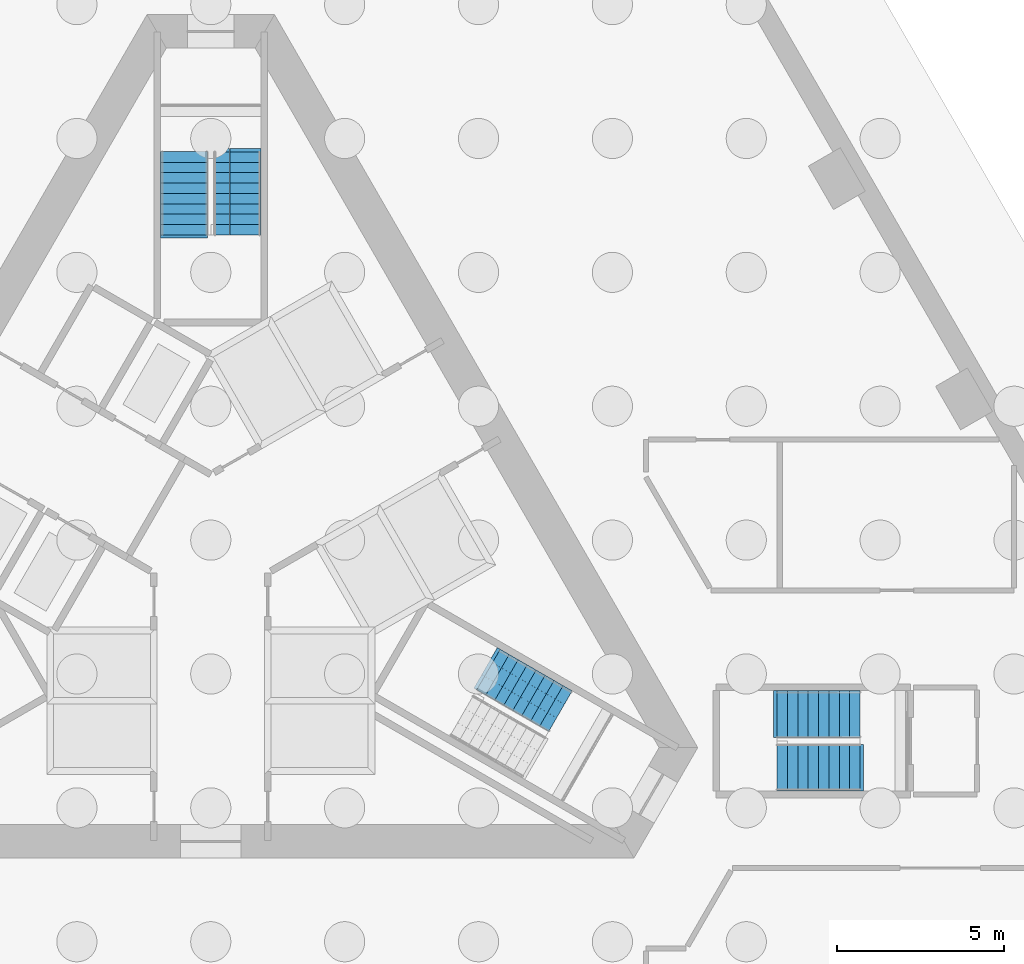
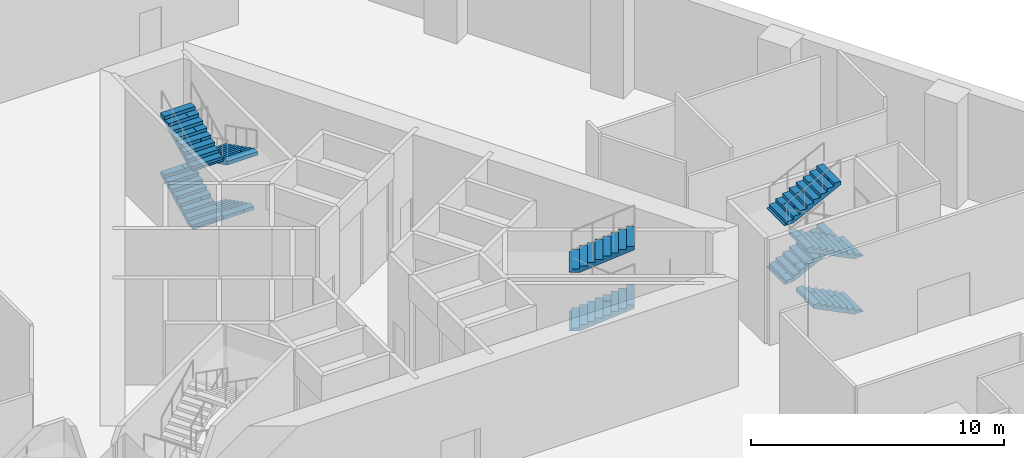
# One storey, part 14 of 20: 10 stair flights, 3 elements without a shape of their own.
"""IFC4 building model written with IfcOpenShell, lengths in metres."""

from ifc_helpers import new_model, si_unit, direction, frame, origin, place, context, subcontext, project, spatial, polyline, outline, extrude, material, type_object, element, aggregate, save


model = new_model("IFC4")

# Units and contexts
model_context = context("Model", 3, precision=1e-05, world=origin(), true_north=direction((0.0, 1.0)))
body_context = subcontext(model_context, "Body", "Model", "MODEL_VIEW")
ifc_project = project(units=[si_unit("LENGTHUNIT", "METRE"), si_unit("AREAUNIT", "SQUARE_METRE"), si_unit("VOLUMEUNIT", "CUBIC_METRE"), si_unit("PLANEANGLEUNIT", "RADIAN"), si_unit("MASSUNIT", "GRAM", prefix="KILO")], contexts=[model_context])

# Site, building, storey
site_placement = place(None, origin())
site = spatial("IfcSite", under=ifc_project, at=site_placement, CompositionType="ELEMENT")
building_placement = place(site_placement, origin())
building = spatial("IfcBuilding", under=site, at=building_placement, Name="Triada Interchange Tower", CompositionType="ELEMENT")
storey_placement = place(building_placement, frame((0.0, 0.0, -5.5)))
storey = spatial("IfcBuildingStorey", under=building, at=storey_placement, Name="B1", CompositionType="ELEMENT", Elevation=-5.5)

# Stair, stair flights
ifc_material = material(Name="Concrete C35/45", Category="concrete")
stair_type = type_object("IfcStairType", Name="HALF TURN STAIR 1400", PredefinedType="HALF_TURN_STAIR", material=ifc_material)
stair_1_placement = place(storey_placement, origin())
stair_1 = element("IfcStair", 1, at=stair_1_placement, inside=storey, type_object=stair_type, Name="Exit stair SB1-1", PredefinedType="HALF_TURN_STAIR")
stair_flight_type = type_object("IfcStairFlightType", Name="STRAIGHT STAIR FLIGHT 1400", PredefinedType="STRAIGHT", material=ifc_material)
stair_flight_1_placement = place(storey_placement, frame((0.800048828125, 11.60009765625, 0.0), z_axis=(0.0, 0.0, 1.0), x_axis=(0.0, -1.0, 0.0)))
stair_flight_1 = element("IfcStairFlight", 2, at=stair_flight_1_placement, type_object=stair_flight_type, Name="SB1-1 flight 1", NumberOfRisers=8, NumberOfTreads=7, PredefinedType="STRAIGHT", RiserHeight=0.15714, TreadLength=0.31, context=body_context, shape_type="SweptSolid", body=[
    extrude(outline(polyline([(-0.10009765625, 0.0), (-0.10009765625, 0.02001953125), (0.0, 0.02001953125), (0.0, 0.1572265625), (0.31005859375, 0.1572265625), (0.31005859375, 0.314208984375), (0.6201171875, 0.314208984375), (0.6201171875, 0.471435546875), (0.929931640625, 0.471435546875), (0.929931640625, 0.628662109375), (1.239990234375, 0.628662109375), (1.239990234375, 0.78564453125), (1.550048828125, 0.78564453125), (1.550048828125, 0.94287109375), (1.860107421875, 0.94287109375), (1.860107421875, 1.10009765625), (2.169921875, 1.10009765625), (2.174072265625, 1.10009765625), (2.174072265625, 1.257080078125), (2.174072265625, 0.931884765625), (0.33154296875, 0.0), (-0.10009765625, 0.0)])), frame((0.0, 0.699951171875, 0.0), z_axis=(0.0, -1.0, 0.0), x_axis=(1.0, 0.0, 0.0)), (0.0, 0.0, 1.0), 0.46533203125),
    extrude(outline(polyline([(-0.10009765625, 0.0), (-0.10009765625, 0.02001953125), (0.0, 0.02001953125), (0.0, 0.1572265625), (0.31005859375, 0.1572265625), (0.31005859375, 0.314208984375), (0.6201171875, 0.314208984375), (0.6201171875, 0.471435546875), (0.929931640625, 0.471435546875), (0.929931640625, 0.628662109375), (1.239990234375, 0.628662109375), (1.239990234375, 0.78564453125), (1.550048828125, 0.78564453125), (1.550048828125, 0.94287109375), (1.860107421875, 0.94287109375), (1.860107421875, 1.10009765625), (2.169921875, 1.10009765625), (2.174072265625, 1.10009765625), (2.174072265625, 1.257080078125), (2.174072265625, 0.931884765625), (0.33154296875, 0.0), (-0.10009765625, 0.0)])), frame((0.0, 0.232666015625, 0.0), z_axis=(0.0, -1.0, 0.0), x_axis=(1.0, 0.0, 0.0)), (0.0, 0.0, 1.0), 0.46533203125),
    extrude(outline(polyline([(-0.10009765625, 0.0), (-0.10009765625, 0.02001953125), (0.0, 0.02001953125), (0.0, 0.1572265625), (0.31005859375, 0.1572265625), (0.31005859375, 0.314208984375), (0.6201171875, 0.314208984375), (0.6201171875, 0.471435546875), (0.929931640625, 0.471435546875), (0.929931640625, 0.628662109375), (1.239990234375, 0.628662109375), (1.239990234375, 0.78564453125), (1.550048828125, 0.78564453125), (1.550048828125, 0.94287109375), (1.860107421875, 0.94287109375), (1.860107421875, 1.10009765625), (2.169921875, 1.10009765625), (2.174072265625, 1.10009765625), (2.174072265625, 1.257080078125), (2.174072265625, 0.931884765625), (0.33154296875, 0.0), (-0.10009765625, 0.0)])), frame((0.0, -0.234619140625, 0.0), z_axis=(0.0, -1.0, 0.0), x_axis=(1.0, 0.0, 0.0)), (0.0, 0.0, 1.0), 0.46533203125),
])
stair_flight_2_placement = place(storey_placement, frame((-0.800048828125, 9.1201171875, 1.257080078125), z_axis=(0.0, 0.0, 1.0), x_axis=(0.0, 1.0, 0.0)))
stair_flight_2 = element("IfcStairFlight", 3, at=stair_flight_2_placement, type_object=stair_flight_type, Name="SB1-1 flight 2", NumberOfRisers=9, NumberOfTreads=8, PredefinedType="STRAIGHT", RiserHeight=0.15714, TreadLength=0.31, context=body_context, shape_type="SweptSolid", body=[
    extrude(outline(polyline([(-0.10009765625, 0.0), (-0.10009765625, 0.02001953125), (0.0, 0.02001953125), (0.0, 0.1572265625), (0.31005859375, 0.1572265625), (0.31005859375, 0.314208984375), (0.6201171875, 0.314208984375), (0.6201171875, 0.471435546875), (0.929931640625, 0.471435546875), (0.929931640625, 0.628662109375), (1.239990234375, 0.628662109375), (1.239990234375, 0.78564453125), (1.550048828125, 0.78564453125), (1.550048828125, 0.94287109375), (1.860107421875, 0.94287109375), (1.860107421875, 1.10009765625), (2.169921875, 1.10009765625), (2.169921875, 1.257080078125), (2.47998046875, 1.257080078125), (2.48388671875, 1.257080078125), (2.48388671875, 1.414306640625), (2.48388671875, 1.089111328125), (0.33154296875, 0.0), (-0.10009765625, 0.0)])), frame((0.0, 0.699951171875, 0.0), z_axis=(0.0, -1.0, 0.0), x_axis=(1.0, 0.0, 0.0)), (0.0, 0.0, 1.0), 0.46533203125),
    extrude(outline(polyline([(-0.10009765625, 0.0), (-0.10009765625, 0.02001953125), (0.0, 0.02001953125), (0.0, 0.1572265625), (0.31005859375, 0.1572265625), (0.31005859375, 0.314208984375), (0.6201171875, 0.314208984375), (0.6201171875, 0.471435546875), (0.929931640625, 0.471435546875), (0.929931640625, 0.628662109375), (1.239990234375, 0.628662109375), (1.239990234375, 0.78564453125), (1.550048828125, 0.78564453125), (1.550048828125, 0.94287109375), (1.860107421875, 0.94287109375), (1.860107421875, 1.10009765625), (2.169921875, 1.10009765625), (2.169921875, 1.257080078125), (2.47998046875, 1.257080078125), (2.48388671875, 1.257080078125), (2.48388671875, 1.414306640625), (2.48388671875, 1.089111328125), (0.33154296875, 0.0), (-0.10009765625, 0.0)])), frame((0.0, 0.232666015625, 0.0), z_axis=(0.0, -1.0, 0.0), x_axis=(1.0, 0.0, 0.0)), (0.0, 0.0, 1.0), 0.46533203125),
    extrude(outline(polyline([(-0.10009765625, 0.0), (-0.10009765625, 0.02001953125), (0.0, 0.02001953125), (0.0, 0.1572265625), (0.31005859375, 0.1572265625), (0.31005859375, 0.314208984375), (0.6201171875, 0.314208984375), (0.6201171875, 0.471435546875), (0.929931640625, 0.471435546875), (0.929931640625, 0.628662109375), (1.239990234375, 0.628662109375), (1.239990234375, 0.78564453125), (1.550048828125, 0.78564453125), (1.550048828125, 0.94287109375), (1.860107421875, 0.94287109375), (1.860107421875, 1.10009765625), (2.169921875, 1.10009765625), (2.169921875, 1.257080078125), (2.47998046875, 1.257080078125), (2.48388671875, 1.257080078125), (2.48388671875, 1.414306640625), (2.48388671875, 1.089111328125), (0.33154296875, 0.0), (-0.10009765625, 0.0)])), frame((0.0, -0.234619140625, 0.0), z_axis=(0.0, -1.0, 0.0), x_axis=(1.0, 0.0, 0.0)), (0.0, 0.0, 1.0), 0.46533203125),
])
stair_flight_3_placement = place(storey_placement, frame((0.800048828125, 11.60009765625, 2.67138671875), z_axis=(0.0, 0.0, 1.0), x_axis=(0.0, -1.0, 0.0)))
stair_flight_3 = element("IfcStairFlight", 4, at=stair_flight_3_placement, type_object=stair_flight_type, Name="SB1-1 flight 3", NumberOfRisers=9, NumberOfTreads=8, PredefinedType="STRAIGHT", RiserHeight=0.15714, TreadLength=0.31, context=body_context, shape_type="SweptSolid", body=[
    extrude(outline(polyline([(-0.10009765625, 0.0), (-0.10009765625, 0.02001953125), (0.0, 0.02001953125), (0.0, 0.1572265625), (0.31005859375, 0.1572265625), (0.31005859375, 0.314208984375), (0.6201171875, 0.314208984375), (0.6201171875, 0.471435546875), (0.929931640625, 0.471435546875), (0.929931640625, 0.628662109375), (1.239990234375, 0.628662109375), (1.239990234375, 0.78564453125), (1.550048828125, 0.78564453125), (1.550048828125, 0.94287109375), (1.860107421875, 0.94287109375), (1.860107421875, 1.10009765625), (2.169921875, 1.10009765625), (2.169921875, 1.257080078125), (2.47998046875, 1.257080078125), (2.48388671875, 1.257080078125), (2.48388671875, 1.414306640625), (2.48388671875, 1.089111328125), (0.33154296875, 0.0), (-0.10009765625, 0.0)])), frame((0.0, 0.699951171875, 0.0), z_axis=(0.0, -1.0, 0.0), x_axis=(1.0, 0.0, 0.0)), (0.0, 0.0, 1.0), 0.46533203125),
    extrude(outline(polyline([(-0.10009765625, 0.0), (-0.10009765625, 0.02001953125), (0.0, 0.02001953125), (0.0, 0.1572265625), (0.31005859375, 0.1572265625), (0.31005859375, 0.314208984375), (0.6201171875, 0.314208984375), (0.6201171875, 0.471435546875), (0.929931640625, 0.471435546875), (0.929931640625, 0.628662109375), (1.239990234375, 0.628662109375), (1.239990234375, 0.78564453125), (1.550048828125, 0.78564453125), (1.550048828125, 0.94287109375), (1.860107421875, 0.94287109375), (1.860107421875, 1.10009765625), (2.169921875, 1.10009765625), (2.169921875, 1.257080078125), (2.47998046875, 1.257080078125), (2.48388671875, 1.257080078125), (2.48388671875, 1.414306640625), (2.48388671875, 1.089111328125), (0.33154296875, 0.0), (-0.10009765625, 0.0)])), frame((0.0, 0.232666015625, 0.0), z_axis=(0.0, -1.0, 0.0), x_axis=(1.0, 0.0, 0.0)), (0.0, 0.0, 1.0), 0.46533203125),
    extrude(outline(polyline([(-0.10009765625, 0.0), (-0.10009765625, 0.02001953125), (0.0, 0.02001953125), (0.0, 0.1572265625), (0.31005859375, 0.1572265625), (0.31005859375, 0.314208984375), (0.6201171875, 0.314208984375), (0.6201171875, 0.471435546875), (0.929931640625, 0.471435546875), (0.929931640625, 0.628662109375), (1.239990234375, 0.628662109375), (1.239990234375, 0.78564453125), (1.550048828125, 0.78564453125), (1.550048828125, 0.94287109375), (1.860107421875, 0.94287109375), (1.860107421875, 1.10009765625), (2.169921875, 1.10009765625), (2.169921875, 1.257080078125), (2.47998046875, 1.257080078125), (2.48388671875, 1.257080078125), (2.48388671875, 1.414306640625), (2.48388671875, 1.089111328125), (0.33154296875, 0.0), (-0.10009765625, 0.0)])), frame((0.0, -0.234619140625, 0.0), z_axis=(0.0, -1.0, 0.0), x_axis=(1.0, 0.0, 0.0)), (0.0, 0.0, 1.0), 0.46533203125),
])
stair_flight_4_placement = place(storey_placement, frame((-0.800048828125, 9.1201171875, 4.085693359375), z_axis=(0.0, 0.0, 1.0), x_axis=(0.0, 1.0, 0.0)))
stair_flight_4 = element("IfcStairFlight", 5, at=stair_flight_4_placement, type_object=stair_flight_type, Name="SB1-1 flight 4", NumberOfRisers=9, NumberOfTreads=8, PredefinedType="STRAIGHT", RiserHeight=0.15714, TreadLength=0.31, context=body_context, shape_type="SweptSolid", body=[
    extrude(outline(polyline([(-0.10009765625, 0.0), (-0.10009765625, 0.02001953125), (0.0, 0.02001953125), (0.0, 0.1572265625), (0.31005859375, 0.1572265625), (0.31005859375, 0.314208984375), (0.6201171875, 0.314208984375), (0.6201171875, 0.471435546875), (0.929931640625, 0.471435546875), (0.929931640625, 0.628662109375), (1.239990234375, 0.628662109375), (1.239990234375, 0.78564453125), (1.550048828125, 0.78564453125), (1.550048828125, 0.94287109375), (1.860107421875, 0.94287109375), (1.860107421875, 1.10009765625), (2.169921875, 1.10009765625), (2.169921875, 1.257080078125), (2.47998046875, 1.257080078125), (2.48388671875, 1.257080078125), (2.48388671875, 1.414306640625), (2.48388671875, 1.089111328125), (0.33154296875, 0.0), (-0.10009765625, 0.0)])), frame((0.0, 0.699951171875, 0.0), z_axis=(0.0, -1.0, 0.0), x_axis=(1.0, 0.0, 0.0)), (0.0, 0.0, 1.0), 0.46533203125),
    extrude(outline(polyline([(-0.10009765625, 0.0), (-0.10009765625, 0.02001953125), (0.0, 0.02001953125), (0.0, 0.1572265625), (0.31005859375, 0.1572265625), (0.31005859375, 0.314208984375), (0.6201171875, 0.314208984375), (0.6201171875, 0.471435546875), (0.929931640625, 0.471435546875), (0.929931640625, 0.628662109375), (1.239990234375, 0.628662109375), (1.239990234375, 0.78564453125), (1.550048828125, 0.78564453125), (1.550048828125, 0.94287109375), (1.860107421875, 0.94287109375), (1.860107421875, 1.10009765625), (2.169921875, 1.10009765625), (2.169921875, 1.257080078125), (2.47998046875, 1.257080078125), (2.48388671875, 1.257080078125), (2.48388671875, 1.414306640625), (2.48388671875, 1.089111328125), (0.33154296875, 0.0), (-0.10009765625, 0.0)])), frame((0.0, 0.232666015625, 0.0), z_axis=(0.0, -1.0, 0.0), x_axis=(1.0, 0.0, 0.0)), (0.0, 0.0, 1.0), 0.46533203125),
    extrude(outline(polyline([(-0.10009765625, 0.0), (-0.10009765625, 0.02001953125), (0.0, 0.02001953125), (0.0, 0.1572265625), (0.31005859375, 0.1572265625), (0.31005859375, 0.314208984375), (0.6201171875, 0.314208984375), (0.6201171875, 0.471435546875), (0.929931640625, 0.471435546875), (0.929931640625, 0.628662109375), (1.239990234375, 0.628662109375), (1.239990234375, 0.78564453125), (1.550048828125, 0.78564453125), (1.550048828125, 0.94287109375), (1.860107421875, 0.94287109375), (1.860107421875, 1.10009765625), (2.169921875, 1.10009765625), (2.169921875, 1.257080078125), (2.47998046875, 1.257080078125), (2.48388671875, 1.257080078125), (2.48388671875, 1.414306640625), (2.48388671875, 1.089111328125), (0.33154296875, 0.0), (-0.10009765625, 0.0)])), frame((0.0, -0.234619140625, 0.0), z_axis=(0.0, -1.0, 0.0), x_axis=(1.0, 0.0, 0.0)), (0.0, 0.0, 1.0), 0.46533203125),
])
aggregate(stair_1, [stair_flight_1, stair_flight_2, stair_flight_3, stair_flight_4])

stair_2_placement = place(storey_placement, origin())
stair_2 = element("IfcStair", 6, at=stair_2_placement, inside=storey, type_object=stair_type, Name="Exit stair SB1-3", PredefinedType="HALF_TURN_STAIR")
stair_flight_5_placement = place(storey_placement, frame((8.298095703125, -3.866943359375, 1.257080078125), z_axis=(0.0, 0.0, 1.0), x_axis=(0.866025403784, -0.5, 0.0)))
stair_flight_5 = element("IfcStairFlight", 7, at=stair_flight_5_placement, type_object=stair_flight_type, Name="SB1-3 flight 2", NumberOfRisers=9, NumberOfTreads=8, PredefinedType="STRAIGHT", RiserHeight=0.15714, TreadLength=0.31, context=body_context, shape_type="SweptSolid", body=[
    extrude(outline(polyline([(-0.10009765625, 0.0), (-0.10009765625, 0.02001953125), (0.0, 0.02001953125), (0.0, 0.1572265625), (0.31005859375, 0.1572265625), (0.31005859375, 0.314208984375), (0.6201171875, 0.314208984375), (0.6201171875, 0.471435546875), (0.929931640625, 0.471435546875), (0.929931640625, 0.628662109375), (1.239990234375, 0.628662109375), (1.239990234375, 0.78564453125), (1.550048828125, 0.78564453125), (1.550048828125, 0.94287109375), (1.860107421875, 0.94287109375), (1.860107421875, 1.10009765625), (2.169921875, 1.10009765625), (2.169921875, 1.257080078125), (2.47998046875, 1.257080078125), (2.48388671875, 1.257080078125), (2.48388671875, 1.414306640625), (2.48388671875, 1.089111328125), (0.33154296875, 0.0), (-0.10009765625, 0.0)])), frame((0.0, 0.699951171875, 0.0), z_axis=(0.0, -1.0, 0.0), x_axis=(1.0, 0.0, 0.0)), (0.0, 0.0, 1.0), 0.46533203125),
    extrude(outline(polyline([(-0.10009765625, 0.0), (-0.10009765625, 0.02001953125), (0.0, 0.02001953125), (0.0, 0.1572265625), (0.31005859375, 0.1572265625), (0.31005859375, 0.314208984375), (0.6201171875, 0.314208984375), (0.6201171875, 0.471435546875), (0.929931640625, 0.471435546875), (0.929931640625, 0.628662109375), (1.239990234375, 0.628662109375), (1.239990234375, 0.78564453125), (1.550048828125, 0.78564453125), (1.550048828125, 0.94287109375), (1.860107421875, 0.94287109375), (1.860107421875, 1.10009765625), (2.169921875, 1.10009765625), (2.169921875, 1.257080078125), (2.47998046875, 1.257080078125), (2.48388671875, 1.257080078125), (2.48388671875, 1.414306640625), (2.48388671875, 1.089111328125), (0.33154296875, 0.0), (-0.10009765625, 0.0)])), frame((0.0, 0.232666015625, 0.0), z_axis=(0.0, -1.0, 0.0), x_axis=(1.0, 0.0, 0.0)), (0.0, 0.0, 1.0), 0.46533203125),
    extrude(outline(polyline([(-0.10009765625, 0.0), (-0.10009765625, 0.02001953125), (0.0, 0.02001953125), (0.0, 0.1572265625), (0.31005859375, 0.1572265625), (0.31005859375, 0.314208984375), (0.6201171875, 0.314208984375), (0.6201171875, 0.471435546875), (0.929931640625, 0.471435546875), (0.929931640625, 0.628662109375), (1.239990234375, 0.628662109375), (1.239990234375, 0.78564453125), (1.550048828125, 0.78564453125), (1.550048828125, 0.94287109375), (1.860107421875, 0.94287109375), (1.860107421875, 1.10009765625), (2.169921875, 1.10009765625), (2.169921875, 1.257080078125), (2.47998046875, 1.257080078125), (2.48388671875, 1.257080078125), (2.48388671875, 1.414306640625), (2.48388671875, 1.089111328125), (0.33154296875, 0.0), (-0.10009765625, 0.0)])), frame((0.0, -0.234619140625, 0.0), z_axis=(0.0, -1.0, 0.0), x_axis=(1.0, 0.0, 0.0)), (0.0, 0.0, 1.0), 0.46533203125),
])
stair_flight_6_placement = place(storey_placement, frame((8.298095703125, -3.866943359375, 4.085693359375), z_axis=(0.0, 0.0, 1.0), x_axis=(0.866025403784, -0.5, 0.0)))
stair_flight_6 = element("IfcStairFlight", 8, at=stair_flight_6_placement, type_object=stair_flight_type, Name="SB1-3 flight 4", NumberOfRisers=9, NumberOfTreads=8, PredefinedType="STRAIGHT", RiserHeight=0.15714, TreadLength=0.31, context=body_context, shape_type="SweptSolid", body=[
    extrude(outline(polyline([(-0.10009765625, 0.0), (-0.10009765625, 0.02001953125), (0.0, 0.02001953125), (0.0, 0.1572265625), (0.31005859375, 0.1572265625), (0.31005859375, 0.314208984375), (0.6201171875, 0.314208984375), (0.6201171875, 0.471435546875), (0.929931640625, 0.471435546875), (0.929931640625, 0.628662109375), (1.239990234375, 0.628662109375), (1.239990234375, 0.78564453125), (1.550048828125, 0.78564453125), (1.550048828125, 0.94287109375), (1.860107421875, 0.94287109375), (1.860107421875, 1.10009765625), (2.169921875, 1.10009765625), (2.169921875, 1.257080078125), (2.47998046875, 1.257080078125), (2.48388671875, 1.257080078125), (2.48388671875, 1.414306640625), (2.48388671875, 1.089111328125), (0.33154296875, 0.0), (-0.10009765625, 0.0)])), frame((0.0, 0.699951171875, 0.0), z_axis=(0.0, -1.0, 0.0), x_axis=(1.0, 0.0, 0.0)), (0.0, 0.0, 1.0), 0.46533203125),
    extrude(outline(polyline([(-0.10009765625, 0.0), (-0.10009765625, 0.02001953125), (0.0, 0.02001953125), (0.0, 0.1572265625), (0.31005859375, 0.1572265625), (0.31005859375, 0.314208984375), (0.6201171875, 0.314208984375), (0.6201171875, 0.471435546875), (0.929931640625, 0.471435546875), (0.929931640625, 0.628662109375), (1.239990234375, 0.628662109375), (1.239990234375, 0.78564453125), (1.550048828125, 0.78564453125), (1.550048828125, 0.94287109375), (1.860107421875, 0.94287109375), (1.860107421875, 1.10009765625), (2.169921875, 1.10009765625), (2.169921875, 1.257080078125), (2.47998046875, 1.257080078125), (2.48388671875, 1.257080078125), (2.48388671875, 1.414306640625), (2.48388671875, 1.089111328125), (0.33154296875, 0.0), (-0.10009765625, 0.0)])), frame((0.0, 0.232666015625, 0.0), z_axis=(0.0, -1.0, 0.0), x_axis=(1.0, 0.0, 0.0)), (0.0, 0.0, 1.0), 0.46533203125),
    extrude(outline(polyline([(-0.10009765625, 0.0), (-0.10009765625, 0.02001953125), (0.0, 0.02001953125), (0.0, 0.1572265625), (0.31005859375, 0.1572265625), (0.31005859375, 0.314208984375), (0.6201171875, 0.314208984375), (0.6201171875, 0.471435546875), (0.929931640625, 0.471435546875), (0.929931640625, 0.628662109375), (1.239990234375, 0.628662109375), (1.239990234375, 0.78564453125), (1.550048828125, 0.78564453125), (1.550048828125, 0.94287109375), (1.860107421875, 0.94287109375), (1.860107421875, 1.10009765625), (2.169921875, 1.10009765625), (2.169921875, 1.257080078125), (2.47998046875, 1.257080078125), (2.48388671875, 1.257080078125), (2.48388671875, 1.414306640625), (2.48388671875, 1.089111328125), (0.33154296875, 0.0), (-0.10009765625, 0.0)])), frame((0.0, -0.234619140625, 0.0), z_axis=(0.0, -1.0, 0.0), x_axis=(1.0, 0.0, 0.0)), (0.0, 0.0, 1.0), 0.46533203125),
])
aggregate(stair_2, [stair_flight_5, stair_flight_6])

stair_3_placement = place(storey_placement, origin())
stair_3 = element("IfcStair", 9, at=stair_3_placement, inside=storey, type_object=stair_type, Name="Exit stair SB1-7", PredefinedType="HALF_TURN_STAIR")
stair_flight_7_placement = place(storey_placement, frame((19.39990234375, -6.800048828125, 0.0), z_axis=(0.0, 0.0, 1.0), x_axis=(-1.0, 0.0, 0.0)))
stair_flight_7 = element("IfcStairFlight", 10, at=stair_flight_7_placement, type_object=stair_flight_type, Name="SB1-7 flight 1", NumberOfRisers=8, NumberOfTreads=7, PredefinedType="STRAIGHT", RiserHeight=0.15714, TreadLength=0.31, context=body_context, shape_type="SweptSolid", body=[
    extrude(outline(polyline([(-0.10009765625, 0.0), (-0.10009765625, 0.02001953125), (0.0, 0.02001953125), (0.0, 0.1572265625), (0.31005859375, 0.1572265625), (0.31005859375, 0.314208984375), (0.6201171875, 0.314208984375), (0.6201171875, 0.471435546875), (0.929931640625, 0.471435546875), (0.929931640625, 0.628662109375), (1.239990234375, 0.628662109375), (1.239990234375, 0.78564453125), (1.550048828125, 0.78564453125), (1.550048828125, 0.94287109375), (1.860107421875, 0.94287109375), (1.860107421875, 1.10009765625), (2.169921875, 1.10009765625), (2.174072265625, 1.10009765625), (2.174072265625, 1.257080078125), (2.174072265625, 0.931884765625), (0.33154296875, 0.0), (-0.10009765625, 0.0)])), frame((0.0, 0.699951171875, 0.0), z_axis=(0.0, -1.0, 0.0), x_axis=(1.0, 0.0, 0.0)), (0.0, 0.0, 1.0), 0.46533203125),
    extrude(outline(polyline([(-0.10009765625, 0.0), (-0.10009765625, 0.02001953125), (0.0, 0.02001953125), (0.0, 0.1572265625), (0.31005859375, 0.1572265625), (0.31005859375, 0.314208984375), (0.6201171875, 0.314208984375), (0.6201171875, 0.471435546875), (0.929931640625, 0.471435546875), (0.929931640625, 0.628662109375), (1.239990234375, 0.628662109375), (1.239990234375, 0.78564453125), (1.550048828125, 0.78564453125), (1.550048828125, 0.94287109375), (1.860107421875, 0.94287109375), (1.860107421875, 1.10009765625), (2.169921875, 1.10009765625), (2.174072265625, 1.10009765625), (2.174072265625, 1.257080078125), (2.174072265625, 0.931884765625), (0.33154296875, 0.0), (-0.10009765625, 0.0)])), frame((0.0, 0.232666015625, 0.0), z_axis=(0.0, -1.0, 0.0), x_axis=(1.0, 0.0, 0.0)), (0.0, 0.0, 1.0), 0.46533203125),
    extrude(outline(polyline([(-0.10009765625, 0.0), (-0.10009765625, 0.02001953125), (0.0, 0.02001953125), (0.0, 0.1572265625), (0.31005859375, 0.1572265625), (0.31005859375, 0.314208984375), (0.6201171875, 0.314208984375), (0.6201171875, 0.471435546875), (0.929931640625, 0.471435546875), (0.929931640625, 0.628662109375), (1.239990234375, 0.628662109375), (1.239990234375, 0.78564453125), (1.550048828125, 0.78564453125), (1.550048828125, 0.94287109375), (1.860107421875, 0.94287109375), (1.860107421875, 1.10009765625), (2.169921875, 1.10009765625), (2.174072265625, 1.10009765625), (2.174072265625, 1.257080078125), (2.174072265625, 0.931884765625), (0.33154296875, 0.0), (-0.10009765625, 0.0)])), frame((0.0, -0.234619140625, 0.0), z_axis=(0.0, -1.0, 0.0), x_axis=(1.0, 0.0, 0.0)), (0.0, 0.0, 1.0), 0.46533203125),
])
stair_flight_8_placement = place(storey_placement, frame((16.919921875, -5.199951171875, 1.257080078125), z_axis=(0.0, 0.0, 1.0), x_axis=(1.0, 0.0, 0.0)))
stair_flight_8 = element("IfcStairFlight", 11, at=stair_flight_8_placement, type_object=stair_flight_type, Name="SB1-7 flight 2", NumberOfRisers=9, NumberOfTreads=8, PredefinedType="STRAIGHT", RiserHeight=0.15714, TreadLength=0.31, context=body_context, shape_type="SweptSolid", body=[
    extrude(outline(polyline([(-0.10009765625, 0.0), (-0.10009765625, 0.02001953125), (0.0, 0.02001953125), (0.0, 0.1572265625), (0.31005859375, 0.1572265625), (0.31005859375, 0.314208984375), (0.6201171875, 0.314208984375), (0.6201171875, 0.471435546875), (0.929931640625, 0.471435546875), (0.929931640625, 0.628662109375), (1.239990234375, 0.628662109375), (1.239990234375, 0.78564453125), (1.550048828125, 0.78564453125), (1.550048828125, 0.94287109375), (1.860107421875, 0.94287109375), (1.860107421875, 1.10009765625), (2.169921875, 1.10009765625), (2.169921875, 1.257080078125), (2.47998046875, 1.257080078125), (2.48388671875, 1.257080078125), (2.48388671875, 1.414306640625), (2.48388671875, 1.089111328125), (0.33154296875, 0.0), (-0.10009765625, 0.0)])), frame((0.0, 0.699951171875, 0.0), z_axis=(0.0, -1.0, 0.0), x_axis=(1.0, 0.0, 0.0)), (0.0, 0.0, 1.0), 0.46533203125),
    extrude(outline(polyline([(-0.10009765625, 0.0), (-0.10009765625, 0.02001953125), (0.0, 0.02001953125), (0.0, 0.1572265625), (0.31005859375, 0.1572265625), (0.31005859375, 0.314208984375), (0.6201171875, 0.314208984375), (0.6201171875, 0.471435546875), (0.929931640625, 0.471435546875), (0.929931640625, 0.628662109375), (1.239990234375, 0.628662109375), (1.239990234375, 0.78564453125), (1.550048828125, 0.78564453125), (1.550048828125, 0.94287109375), (1.860107421875, 0.94287109375), (1.860107421875, 1.10009765625), (2.169921875, 1.10009765625), (2.169921875, 1.257080078125), (2.47998046875, 1.257080078125), (2.48388671875, 1.257080078125), (2.48388671875, 1.414306640625), (2.48388671875, 1.089111328125), (0.33154296875, 0.0), (-0.10009765625, 0.0)])), frame((0.0, 0.232666015625, 0.0), z_axis=(0.0, -1.0, 0.0), x_axis=(1.0, 0.0, 0.0)), (0.0, 0.0, 1.0), 0.46533203125),
    extrude(outline(polyline([(-0.10009765625, 0.0), (-0.10009765625, 0.02001953125), (0.0, 0.02001953125), (0.0, 0.1572265625), (0.31005859375, 0.1572265625), (0.31005859375, 0.314208984375), (0.6201171875, 0.314208984375), (0.6201171875, 0.471435546875), (0.929931640625, 0.471435546875), (0.929931640625, 0.628662109375), (1.239990234375, 0.628662109375), (1.239990234375, 0.78564453125), (1.550048828125, 0.78564453125), (1.550048828125, 0.94287109375), (1.860107421875, 0.94287109375), (1.860107421875, 1.10009765625), (2.169921875, 1.10009765625), (2.169921875, 1.257080078125), (2.47998046875, 1.257080078125), (2.48388671875, 1.257080078125), (2.48388671875, 1.414306640625), (2.48388671875, 1.089111328125), (0.33154296875, 0.0), (-0.10009765625, 0.0)])), frame((0.0, -0.234619140625, 0.0), z_axis=(0.0, -1.0, 0.0), x_axis=(1.0, 0.0, 0.0)), (0.0, 0.0, 1.0), 0.46533203125),
])
stair_flight_9_placement = place(storey_placement, frame((19.39990234375, -6.800048828125, 2.67138671875), z_axis=(0.0, 0.0, 1.0), x_axis=(-1.0, 0.0, 0.0)))
stair_flight_9 = element("IfcStairFlight", 12, at=stair_flight_9_placement, type_object=stair_flight_type, Name="SB1-7 flight 3", NumberOfRisers=9, NumberOfTreads=8, PredefinedType="STRAIGHT", RiserHeight=0.15714, TreadLength=0.31, context=body_context, shape_type="SweptSolid", body=[
    extrude(outline(polyline([(-0.10009765625, 0.0), (-0.10009765625, 0.02001953125), (0.0, 0.02001953125), (0.0, 0.1572265625), (0.31005859375, 0.1572265625), (0.31005859375, 0.314208984375), (0.6201171875, 0.314208984375), (0.6201171875, 0.471435546875), (0.929931640625, 0.471435546875), (0.929931640625, 0.628662109375), (1.239990234375, 0.628662109375), (1.239990234375, 0.78564453125), (1.550048828125, 0.78564453125), (1.550048828125, 0.94287109375), (1.860107421875, 0.94287109375), (1.860107421875, 1.10009765625), (2.169921875, 1.10009765625), (2.169921875, 1.257080078125), (2.47998046875, 1.257080078125), (2.48388671875, 1.257080078125), (2.48388671875, 1.414306640625), (2.48388671875, 1.089111328125), (0.33154296875, 0.0), (-0.10009765625, 0.0)])), frame((0.0, 0.699951171875, 0.0), z_axis=(0.0, -1.0, 0.0), x_axis=(1.0, 0.0, 0.0)), (0.0, 0.0, 1.0), 0.46533203125),
    extrude(outline(polyline([(-0.10009765625, 0.0), (-0.10009765625, 0.02001953125), (0.0, 0.02001953125), (0.0, 0.1572265625), (0.31005859375, 0.1572265625), (0.31005859375, 0.314208984375), (0.6201171875, 0.314208984375), (0.6201171875, 0.471435546875), (0.929931640625, 0.471435546875), (0.929931640625, 0.628662109375), (1.239990234375, 0.628662109375), (1.239990234375, 0.78564453125), (1.550048828125, 0.78564453125), (1.550048828125, 0.94287109375), (1.860107421875, 0.94287109375), (1.860107421875, 1.10009765625), (2.169921875, 1.10009765625), (2.169921875, 1.257080078125), (2.47998046875, 1.257080078125), (2.48388671875, 1.257080078125), (2.48388671875, 1.414306640625), (2.48388671875, 1.089111328125), (0.33154296875, 0.0), (-0.10009765625, 0.0)])), frame((0.0, 0.232666015625, 0.0), z_axis=(0.0, -1.0, 0.0), x_axis=(1.0, 0.0, 0.0)), (0.0, 0.0, 1.0), 0.46533203125),
    extrude(outline(polyline([(-0.10009765625, 0.0), (-0.10009765625, 0.02001953125), (0.0, 0.02001953125), (0.0, 0.1572265625), (0.31005859375, 0.1572265625), (0.31005859375, 0.314208984375), (0.6201171875, 0.314208984375), (0.6201171875, 0.471435546875), (0.929931640625, 0.471435546875), (0.929931640625, 0.628662109375), (1.239990234375, 0.628662109375), (1.239990234375, 0.78564453125), (1.550048828125, 0.78564453125), (1.550048828125, 0.94287109375), (1.860107421875, 0.94287109375), (1.860107421875, 1.10009765625), (2.169921875, 1.10009765625), (2.169921875, 1.257080078125), (2.47998046875, 1.257080078125), (2.48388671875, 1.257080078125), (2.48388671875, 1.414306640625), (2.48388671875, 1.089111328125), (0.33154296875, 0.0), (-0.10009765625, 0.0)])), frame((0.0, -0.234619140625, 0.0), z_axis=(0.0, -1.0, 0.0), x_axis=(1.0, 0.0, 0.0)), (0.0, 0.0, 1.0), 0.46533203125),
])
stair_flight_10_placement = place(storey_placement, frame((16.919921875, -5.199951171875, 4.085693359375), z_axis=(0.0, 0.0, 1.0), x_axis=(1.0, 0.0, 0.0)))
stair_flight_10 = element("IfcStairFlight", 13, at=stair_flight_10_placement, type_object=stair_flight_type, Name="SB1-7 flight 4", NumberOfRisers=9, NumberOfTreads=8, PredefinedType="STRAIGHT", RiserHeight=0.15714, TreadLength=0.31, context=body_context, shape_type="SweptSolid", body=[
    extrude(outline(polyline([(-0.10009765625, 0.0), (-0.10009765625, 0.02001953125), (0.0, 0.02001953125), (0.0, 0.1572265625), (0.31005859375, 0.1572265625), (0.31005859375, 0.314208984375), (0.6201171875, 0.314208984375), (0.6201171875, 0.471435546875), (0.929931640625, 0.471435546875), (0.929931640625, 0.628662109375), (1.239990234375, 0.628662109375), (1.239990234375, 0.78564453125), (1.550048828125, 0.78564453125), (1.550048828125, 0.94287109375), (1.860107421875, 0.94287109375), (1.860107421875, 1.10009765625), (2.169921875, 1.10009765625), (2.169921875, 1.257080078125), (2.47998046875, 1.257080078125), (2.48388671875, 1.257080078125), (2.48388671875, 1.414306640625), (2.48388671875, 1.089111328125), (0.33154296875, 0.0), (-0.10009765625, 0.0)])), frame((0.0, 0.699951171875, 0.0), z_axis=(0.0, -1.0, 0.0), x_axis=(1.0, 0.0, 0.0)), (0.0, 0.0, 1.0), 0.46533203125),
    extrude(outline(polyline([(-0.10009765625, 0.0), (-0.10009765625, 0.02001953125), (0.0, 0.02001953125), (0.0, 0.1572265625), (0.31005859375, 0.1572265625), (0.31005859375, 0.314208984375), (0.6201171875, 0.314208984375), (0.6201171875, 0.471435546875), (0.929931640625, 0.471435546875), (0.929931640625, 0.628662109375), (1.239990234375, 0.628662109375), (1.239990234375, 0.78564453125), (1.550048828125, 0.78564453125), (1.550048828125, 0.94287109375), (1.860107421875, 0.94287109375), (1.860107421875, 1.10009765625), (2.169921875, 1.10009765625), (2.169921875, 1.257080078125), (2.47998046875, 1.257080078125), (2.48388671875, 1.257080078125), (2.48388671875, 1.414306640625), (2.48388671875, 1.089111328125), (0.33154296875, 0.0), (-0.10009765625, 0.0)])), frame((0.0, 0.232666015625, 0.0), z_axis=(0.0, -1.0, 0.0), x_axis=(1.0, 0.0, 0.0)), (0.0, 0.0, 1.0), 0.46533203125),
    extrude(outline(polyline([(-0.10009765625, 0.0), (-0.10009765625, 0.02001953125), (0.0, 0.02001953125), (0.0, 0.1572265625), (0.31005859375, 0.1572265625), (0.31005859375, 0.314208984375), (0.6201171875, 0.314208984375), (0.6201171875, 0.471435546875), (0.929931640625, 0.471435546875), (0.929931640625, 0.628662109375), (1.239990234375, 0.628662109375), (1.239990234375, 0.78564453125), (1.550048828125, 0.78564453125), (1.550048828125, 0.94287109375), (1.860107421875, 0.94287109375), (1.860107421875, 1.10009765625), (2.169921875, 1.10009765625), (2.169921875, 1.257080078125), (2.47998046875, 1.257080078125), (2.48388671875, 1.257080078125), (2.48388671875, 1.414306640625), (2.48388671875, 1.089111328125), (0.33154296875, 0.0), (-0.10009765625, 0.0)])), frame((0.0, -0.234619140625, 0.0), z_axis=(0.0, -1.0, 0.0), x_axis=(1.0, 0.0, 0.0)), (0.0, 0.0, 1.0), 0.46533203125),
])
aggregate(stair_3, [stair_flight_7, stair_flight_8, stair_flight_9, stair_flight_10])

save(model, "model.ifc")
